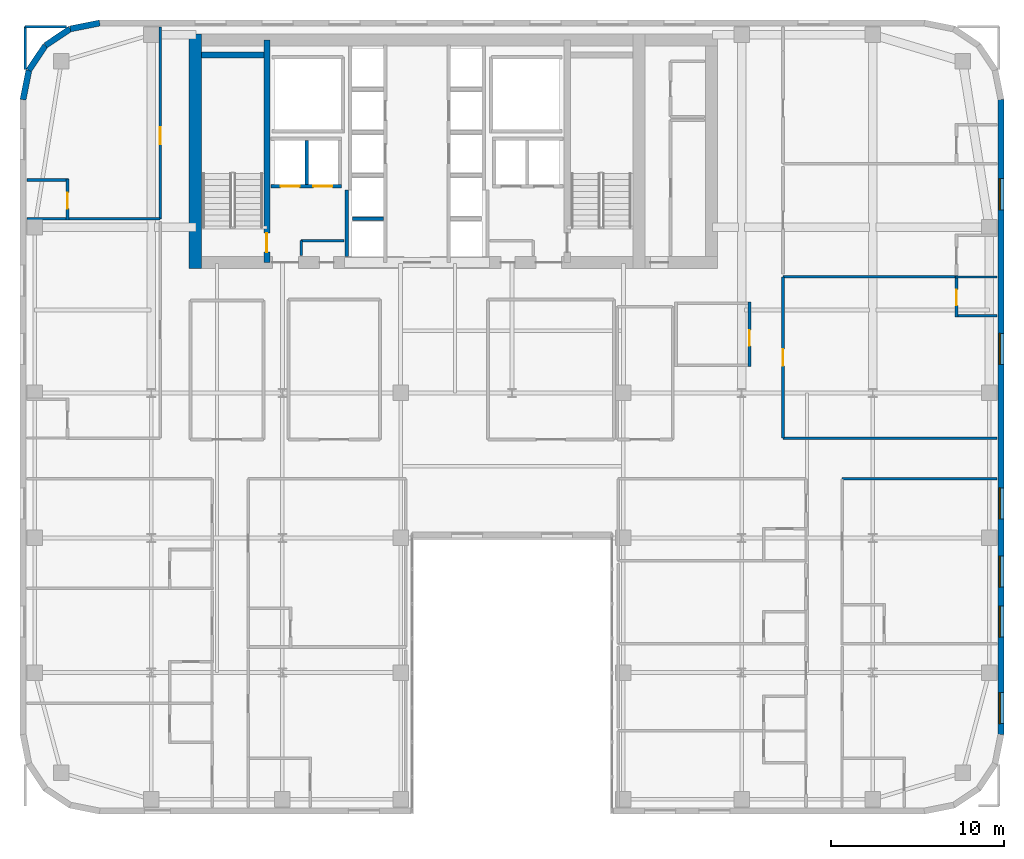
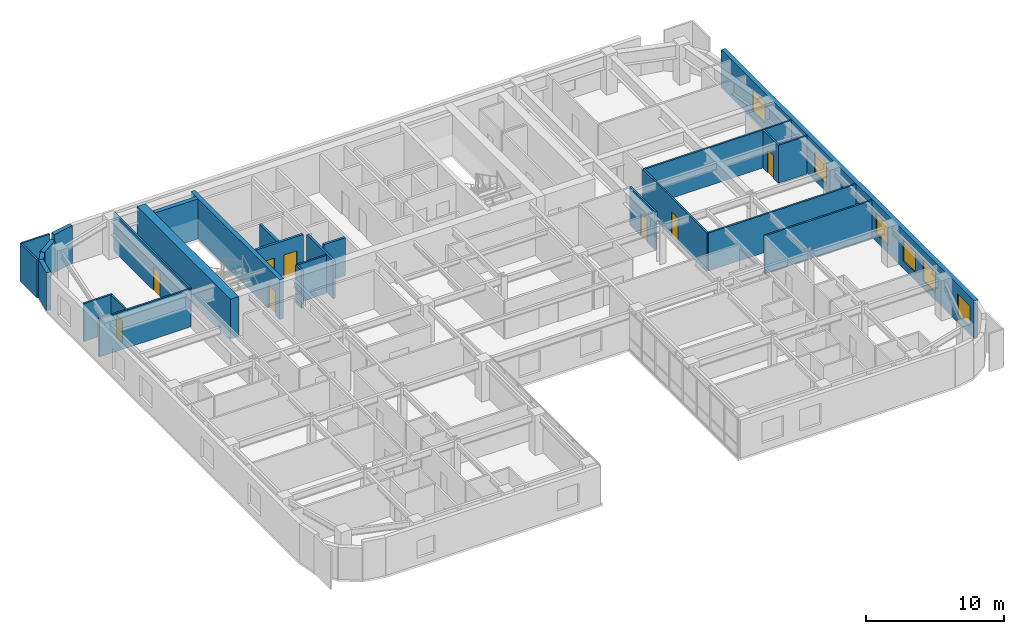
# One storey, part 13 of 16: 28 walls, 8 doors, 6 windows, 14 openings.
"""IFC4 building model written with IfcOpenShell, lengths in metres."""

from ifc_helpers import new_model, si_unit, direction, frame, frame_2d, origin, place, context, subcontext, project, spatial, rectangle, extrude, source, transform, mapped, material, layer, layer_set, type_object, type_shapes, element, fill, save


model = new_model("IFC4")

# Units and contexts
model_context = context("Model", 3, precision=1e-05, world=origin(), true_north=direction((0.0, 1.0)))
body_context = subcontext(model_context, "Body", "Model", "MODEL_VIEW")
ifc_project = project(units=[si_unit("LENGTHUNIT", "METRE"), si_unit("AREAUNIT", "SQUARE_METRE"), si_unit("VOLUMEUNIT", "CUBIC_METRE"), si_unit("PLANEANGLEUNIT", "RADIAN"), si_unit("MASSUNIT", "GRAM", prefix="KILO")], contexts=[model_context])

# Site, building, storey
site_placement = place(None, origin())
site = spatial("IfcSite", under=ifc_project, at=site_placement, CompositionType="ELEMENT")
building_placement = place(site_placement, origin())
building = spatial("IfcBuilding", under=site, at=building_placement, Name="Tolvann Quenvar Hotel", CompositionType="ELEMENT")
storey_placement = place(building_placement, frame((0.0, 0.0, 115.10009765625)))
storey = spatial("IfcBuildingStorey", under=building, at=storey_placement, Name="L29", CompositionType="ELEMENT", Elevation=115.10009765625)

# Wall
ifc_material_1 = material(Name="Concrete S65 (65 MPa)", Category="concrete")
ifc_layer_1 = layer(ifc_material_1, 0.699951171875)
ifc_layer_set_1 = layer_set([ifc_layer_1], Name="Concrete S65 (65 MPa)")
wall_type_1 = type_object("IfcWallType", Name="WALL_CORE_700", PredefinedType="SHEAR", material=ifc_layer_set_1)
wall_1_placement = place(storey_placement, frame((10.14990234375, 31.60009765625, 0.0), z_axis=(0.0, 0.0, 1.0), x_axis=(0.0, 1.0, 0.0)))
element("IfcWall", 1, at=wall_1_placement, inside=storey, type_object=wall_type_1, Name="Rear Core W Shear Wall (L29)", PredefinedType="SHEAR", context=body_context, shape_type="SweptSolid", body=[
    extrude(rectangle(XDim=13.599853515625, YDim=0.699951171875, at=frame_2d((6.7998046875, 0.0))), origin(), (0.0, 0.0, 1.0), 3.5498046875),
])

# Wall, opening, door
ifc_layer_2 = layer(ifc_material_1, 0.35009765625)
ifc_layer_set_2 = layer_set([ifc_layer_2], Name="Concrete S65 (65 MPa)")
wall_type_2 = type_object("IfcWallType", Name="WALL_CORE_INT_350", PredefinedType="SHEAR", material=ifc_layer_set_2)
wall_2_placement = place(storey_placement, frame((14.300048828125, 31.949951171875, 0.0), z_axis=(0.0, 0.0, 1.0), x_axis=(0.0, 1.0, 0.0)))
wall_2 = element("IfcWall", 2, at=wall_2_placement, inside=storey, type_object=wall_type_2, Name="Core Internal Web Shear Wall WEB-W (L29)", PredefinedType="SHEAR", context=body_context, shape_type="SweptSolid", body=[
    extrude(rectangle(XDim=12.900146484375, YDim=0.35009765625, at=frame_2d((6.4501953125, 0.0))), origin(), (0.0, 0.0, 1.0), 3.5498046875),
])
opening_1_placement = place(wall_2_placement, frame((0.60009765625, 0.0, 0.0)))
opening_1 = element("IfcOpeningElement", 3, at=opening_1_placement, cuts=wall_2, Name="Opening FD-120", PredefinedType="OPENING", context=body_context, shape_type="SweptSolid", body=[
    extrude(rectangle(XDim=1.10009765625, YDim=2.1201171875, at=frame_2d((0.550048828125, 1.06005859375))), frame((0.0, 0.18505859375, 0.0), z_axis=(0.0, -1.0, 0.0), x_axis=(1.0, 0.0, 0.0)), (0.0, 0.0, 1.0), 0.3701171875),
])
ifc_material_2 = material(Name="Pressed galvanised steel fire-rated door set", Category="steel")
door_type_1 = type_object("IfcDoorType", Name="DOOR_FIRE_STAIR_1100", OperationType="NOTDEFINED", PredefinedType="DOOR", material=ifc_material_2)
shared_shape_1 = source(origin(), body_context, "Body", "SweptSolid", [
    extrude(rectangle(XDim=1.10009765625, YDim=2.1201171875, at=frame_2d((0.550048828125, 1.06005859375))), frame((0.0, 0.02490234375, 0.0), z_axis=(0.0, -1.0, 0.0), x_axis=(1.0, 0.0, 0.0)), (0.0, 0.0, 1.0), 0.050048828125),
])
type_shapes(door_type_1, [shared_shape_1])
door_1_placement = place(opening_1_placement, origin())
door_1 = element("IfcDoor", 4, at=door_1_placement, inside=storey, type_object=door_type_1, Name="Exit Stair ST-C1 Fire Door (L29)", OperationType="SINGLE_SWING_LEFT", OverallHeight=2.1201171875, OverallWidth=1.10009765625, PredefinedType="DOOR", context=body_context, shape_type="MappedRepresentation", body=[
    mapped(shared_shape_1, transform((0.0, 0.0, 0.0), x_axis=(1.0, 0.0, 0.0), y_axis=(0.0, 1.0, 0.0), z_axis=(0.0, 0.0, 1.0), scale=1.0)),
])
fill(opening_1, door_1)

# Wall
wall_3_placement = place(storey_placement, frame((10.52001953125, 43.97509765625, 0.0), z_axis=(0.0, 0.0, 1.0), x_axis=(1.0, 0.0, 0.0)))
element("IfcWall", 5, at=wall_3_placement, inside=storey, type_object=wall_type_2, Name="Core Stair North Closing Shear Wall STC1-N (L29)", PredefinedType="SHEAR", context=body_context, shape_type="SweptSolid", body=[
    extrude(rectangle(XDim=3.60009765625, YDim=0.35009765625, at=frame_2d((1.800048828125, 0.0))), origin(), (0.0, 0.0, 1.0), 3.5498046875),
])

# Wall, openings, windows
ifc_material_3 = material(Name="Kiln-fired red and buff architectural clay brickwork and terracotta masonry", Category="masonry")
ifc_layer_3 = layer(ifc_material_3, 0.35009765625)
ifc_layer_set_3 = layer_set([ifc_layer_3], Name="Kiln-fired red and buff architectural clay brickwork and terracotta masonry")
wall_type_3 = type_object("IfcWallType", Name="WALL_EXT_BRICK_350", PredefinedType="SOLIDWALL", material=ifc_layer_set_3)
wall_4_placement = place(storey_placement, frame((56.824951171875, 4.6171875, 0.0), z_axis=(0.0, 0.0, 1.0), x_axis=(0.0, 1.0, 0.0)))
wall_4 = element("IfcWall", 6, at=wall_4_placement, inside=storey, type_object=wall_type_3, Name="Exterior Chicago Brick Wall L29-E13", PredefinedType="SOLIDWALL", context=body_context, shape_type="SweptSolid", body=[
    extrude(rectangle(XDim=36.765625, YDim=0.35009765625, at=frame_2d((18.3828125, 0.0))), origin(), (0.0, 0.0, 1.0), 3.369873046875),
])
opening_2_placement = place(wall_4_placement, frame((0.6259765625, 0.0, 0.679931640625)))
opening_2 = element("IfcOpeningElement", 7, at=opening_2_placement, cuts=wall_4, Name="Opening W-03", PredefinedType="OPENING", context=body_context, shape_type="SweptSolid", body=[
    extrude(rectangle(XDim=1.800048828125, YDim=1.85009765625, at=frame_2d((0.89990234375, 0.925048828125))), frame((0.0, 0.18505859375, 0.0), z_axis=(0.0, -1.0, 0.0), x_axis=(1.0, 0.0, 0.0)), (0.0, 0.0, 1.0), 0.3701171875),
])
opening_3_placement = place(wall_4_placement, frame((5.6279296875, 0.0, 0.679931640625)))
opening_3 = element("IfcOpeningElement", 8, at=opening_3_placement, cuts=wall_4, Name="Opening W-03", PredefinedType="OPENING", context=body_context, shape_type="SweptSolid", body=[
    extrude(rectangle(XDim=1.800048828125, YDim=1.85009765625, at=frame_2d((0.89990234375, 0.925048828125))), frame((0.0, 0.18505859375, 0.0), z_axis=(0.0, -1.0, 0.0), x_axis=(1.0, 0.0, 0.0)), (0.0, 0.0, 1.0), 0.3701171875),
])
opening_4_placement = place(wall_4_placement, frame((8.529052734375, 0.0, 0.679931640625)))
opening_4 = element("IfcOpeningElement", 9, at=opening_4_placement, cuts=wall_4, Name="Opening W-03", PredefinedType="OPENING", context=body_context, shape_type="SweptSolid", body=[
    extrude(rectangle(XDim=1.800048828125, YDim=1.85009765625, at=frame_2d((0.89990234375, 0.925048828125))), frame((0.0, 0.18505859375, 0.0), z_axis=(0.0, -1.0, 0.0), x_axis=(1.0, 0.0, 0.0)), (0.0, 0.0, 1.0), 0.3701171875),
])
opening_5_placement = place(wall_4_placement, frame((12.48095703125, 0.0, 0.679931640625)))
opening_5 = element("IfcOpeningElement", 10, at=opening_5_placement, cuts=wall_4, Name="Opening W-03", PredefinedType="OPENING", context=body_context, shape_type="SweptSolid", body=[
    extrude(rectangle(XDim=1.800048828125, YDim=1.85009765625, at=frame_2d((0.89990234375, 0.925048828125))), frame((0.0, 0.18505859375, 0.0), z_axis=(0.0, -1.0, 0.0), x_axis=(1.0, 0.0, 0.0)), (0.0, 0.0, 1.0), 0.3701171875),
])
opening_6_placement = place(wall_4_placement, frame((21.43505859375, 0.0, 0.679931640625)))
opening_6 = element("IfcOpeningElement", 11, at=opening_6_placement, cuts=wall_4, Name="Opening W-03", PredefinedType="OPENING", context=body_context, shape_type="SweptSolid", body=[
    extrude(rectangle(XDim=1.800048828125, YDim=1.85009765625, at=frame_2d((0.89990234375, 0.925048828125))), frame((0.0, 0.18505859375, 0.0), z_axis=(0.0, -1.0, 0.0), x_axis=(1.0, 0.0, 0.0)), (0.0, 0.0, 1.0), 0.3701171875),
])
opening_7_placement = place(wall_4_placement, frame((30.387939453125, 0.0, 0.679931640625)))
opening_7 = element("IfcOpeningElement", 12, at=opening_7_placement, cuts=wall_4, Name="Opening W-03", PredefinedType="OPENING", context=body_context, shape_type="SweptSolid", body=[
    extrude(rectangle(XDim=1.800048828125, YDim=1.85009765625, at=frame_2d((0.89990234375, 0.925048828125))), frame((0.0, 0.18505859375, 0.0), z_axis=(0.0, -1.0, 0.0), x_axis=(1.0, 0.0, 0.0)), (0.0, 0.0, 1.0), 0.3701171875),
])
ifc_material_4 = material(Name="Thermally broken bronze-anodised aluminium frame with double low-E glazing", Category="aluminium")
window_type = type_object("IfcWindowType", Name="WIN_CHI_1800x2050", PartitioningType="TRIPLE_PANEL_HORIZONTAL", PredefinedType="WINDOW", material=ifc_material_4)
shared_shape_2 = source(origin(), body_context, "Body", "SweptSolid", [
    extrude(rectangle(XDim=1.800048828125, YDim=1.85009765625, at=frame_2d((0.89990234375, 0.925048828125))), frame((0.0, 0.090087890625, 0.0), z_axis=(0.0, -1.0, 0.0), x_axis=(1.0, 0.0, 0.0)), (0.0, 0.0, 1.0), 0.06005859375),
])
type_shapes(window_type, [shared_shape_2])
window_1_placement = place(opening_2_placement, origin())
window_1 = element("IfcWindow", 13, at=window_1_placement, inside=storey, type_object=window_type, Name="Chicago Window W-03 (EW-L29-E13-W01)", OverallHeight=1.85009765625, OverallWidth=1.800048828125, PartitioningType="TRIPLE_PANEL_HORIZONTAL", PredefinedType="WINDOW", context=body_context, shape_type="MappedRepresentation", body=[
    mapped(shared_shape_2, transform((0.0, 0.0, 0.0), x_axis=(1.0, 0.0, 0.0), y_axis=(0.0, 1.0, 0.0), z_axis=(0.0, 0.0, 1.0), scale=1.0)),
])
fill(opening_2, window_1)
window_2_placement = place(opening_3_placement, origin())
window_2 = element("IfcWindow", 14, at=window_2_placement, inside=storey, type_object=window_type, Name="Chicago Window W-03 (EW-L29-E13-W02)", OverallHeight=1.85009765625, OverallWidth=1.800048828125, PartitioningType="TRIPLE_PANEL_HORIZONTAL", PredefinedType="WINDOW", context=body_context, shape_type="MappedRepresentation", body=[
    mapped(shared_shape_2, transform((0.0, 0.0, 0.0), x_axis=(1.0, 0.0, 0.0), y_axis=(0.0, 1.0, 0.0), z_axis=(0.0, 0.0, 1.0), scale=1.0)),
])
fill(opening_3, window_2)
window_3_placement = place(opening_4_placement, origin())
window_3 = element("IfcWindow", 15, at=window_3_placement, inside=storey, type_object=window_type, Name="Chicago Window W-03 (EW-L29-E13-W03)", OverallHeight=1.85009765625, OverallWidth=1.800048828125, PartitioningType="TRIPLE_PANEL_HORIZONTAL", PredefinedType="WINDOW", context=body_context, shape_type="MappedRepresentation", body=[
    mapped(shared_shape_2, transform((0.0, 0.0, 0.0), x_axis=(1.0, 0.0, 0.0), y_axis=(0.0, 1.0, 0.0), z_axis=(0.0, 0.0, 1.0), scale=1.0)),
])
fill(opening_4, window_3)
window_4_placement = place(opening_5_placement, origin())
window_4 = element("IfcWindow", 16, at=window_4_placement, inside=storey, type_object=window_type, Name="Chicago Window W-03 (EW-L29-E13-W04)", OverallHeight=1.85009765625, OverallWidth=1.800048828125, PartitioningType="TRIPLE_PANEL_HORIZONTAL", PredefinedType="WINDOW", context=body_context, shape_type="MappedRepresentation", body=[
    mapped(shared_shape_2, transform((0.0, 0.0, 0.0), x_axis=(1.0, 0.0, 0.0), y_axis=(0.0, 1.0, 0.0), z_axis=(0.0, 0.0, 1.0), scale=1.0)),
])
fill(opening_5, window_4)
window_5_placement = place(opening_6_placement, origin())
window_5 = element("IfcWindow", 17, at=window_5_placement, inside=storey, type_object=window_type, Name="Chicago Window W-03 (EW-L29-E13-W05)", OverallHeight=1.85009765625, OverallWidth=1.800048828125, PartitioningType="TRIPLE_PANEL_HORIZONTAL", PredefinedType="WINDOW", context=body_context, shape_type="MappedRepresentation", body=[
    mapped(shared_shape_2, transform((0.0, 0.0, 0.0), x_axis=(1.0, 0.0, 0.0), y_axis=(0.0, 1.0, 0.0), z_axis=(0.0, 0.0, 1.0), scale=1.0)),
])
fill(opening_6, window_5)
window_6_placement = place(opening_7_placement, origin())
window_6 = element("IfcWindow", 18, at=window_6_placement, inside=storey, type_object=window_type, Name="Chicago Window W-03 (EW-L29-E13-W06)", OverallHeight=1.85009765625, OverallWidth=1.800048828125, PartitioningType="TRIPLE_PANEL_HORIZONTAL", PredefinedType="WINDOW", context=body_context, shape_type="MappedRepresentation", body=[
    mapped(shared_shape_2, transform((0.0, 0.0, 0.0), x_axis=(1.0, 0.0, 0.0), y_axis=(0.0, 1.0, 0.0), z_axis=(0.0, 0.0, 1.0), scale=1.0)),
])
fill(opening_7, window_6)

# Walls
wall_5_placement = place(storey_placement, frame((4.6171875, 45.824951171875, 0.0), z_axis=(0.0, 0.0, 1.0), x_axis=(-0.980800971659, -0.195011420161, 0.0)))
element("IfcWall", 19, at=wall_5_placement, inside=storey, type_object=wall_type_3, Name="Exterior Chicago Brick Wall L29-E19", PredefinedType="SOLIDWALL", context=body_context, shape_type="SweptSolid", body=[
    extrude(rectangle(XDim=1.74267578125, YDim=0.35009765625, at=frame_2d((0.871337890625, 0.0))), origin(), (0.0, 0.0, 1.0), 3.369873046875),
])
for number, where, z_axis, x_axis, name in (
    (20, (2.907958984375, 45.485107421875, 0.0), (0.0, 0.0, 1.0), (-0.831483840845, -0.55554893791, 0.0), "Exterior Chicago Brick Wall L29-E20"),
    (21, (1.473388671875, 44.526611328125, 0.0), (0.0, 0.0, 1.0), (-0.55554893791, -0.831483840845, 0.0), "Exterior Chicago Brick Wall L29-E21"),
):
    element("IfcWall", number, at=place(storey_placement, frame(where, z_axis=z_axis, x_axis=x_axis)), inside=storey, type_object=wall_type_3, Name=name, PredefinedType="SOLIDWALL", context=body_context, shape_type="SweptSolid", body=[
        extrude(rectangle(XDim=1.725341796875, YDim=0.35009765625, at=frame_2d((0.86279296875, 0.0))), origin(), (0.0, 0.0, 1.0), 2.831787109375),
    ])
wall_6_placement = place(storey_placement, frame((0.514892578125, 43.092041015625, 0.0), z_axis=(0.0, 0.0, 1.0), x_axis=(-0.195011420161, -0.980800971659, 0.0)))
element("IfcWall", 22, at=wall_6_placement, inside=storey, type_object=wall_type_3, Name="Exterior Chicago Brick Wall L29-E22", PredefinedType="SOLIDWALL", context=body_context, shape_type="SweptSolid", body=[
    extrude(rectangle(XDim=1.74267578125, YDim=0.35009765625, at=frame_2d((0.871337890625, 0.0))), origin(), (0.0, 0.0, 1.0), 3.369873046875),
])
ifc_material_5 = material(Name="Moisture-resistant acoustic plumbing wall assembly")
ifc_layer_4 = layer(ifc_material_5, 0.1201171875)
ifc_layer_set_4 = layer_set([ifc_layer_4], Name="Moisture-resistant acoustic plumbing wall assembly")
wall_type_4 = type_object("IfcWallType", Name="WALL_PART_BATH_120", PredefinedType="PLUMBINGWALL", material=ifc_layer_set_4)
wall_7_placement = place(storey_placement, frame((54.179931640625, 31.1201171875, 0.0), z_axis=(0.0, 0.0, 1.0), x_axis=(1.0, 0.0, 0.0)))
element("IfcWall", 23, at=wall_7_placement, inside=storey, type_object=wall_type_4, Name="Non-Rated Plumbing Partition PT-SPC-L29-ENS-NE01-N", PredefinedType="PLUMBINGWALL", context=body_context, shape_type="SweptSolid", body=[
    extrude(rectangle(XDim=2.4150390625, YDim=0.1201171875, at=frame_2d((1.20751953125, 0.0))), origin(), (0.0, 0.0, 1.0), 3.369873046875),
])

# Wall, opening, door
ifc_material_6 = material(Name="Acoustic twin-stud fire-rated gypsum plasterboard partition")
ifc_layer_5 = layer(ifc_material_6, 0.14990234375)
ifc_layer_set_5 = layer_set([ifc_layer_5], Name="Acoustic twin-stud fire-rated gypsum plasterboard partition")
wall_type_5 = type_object("IfcWallType", Name="WALL_PART_SUITE_150", PredefinedType="PARTITIONING", material=ifc_layer_set_5)
wall_8_placement = place(storey_placement, frame((2.75, 34.409912109375, 0.0), z_axis=(0.0, 0.0, 1.0), x_axis=(0.0, 1.0, 0.0)))
wall_8 = element("IfcWall", 24, at=wall_8_placement, inside=storey, type_object=wall_type_5, Name="Interior Partition PT-SPC-L29-ENS-NW02-ENT", PredefinedType="PARTITIONING", context=body_context, shape_type="SweptSolid", body=[
    extrude(rectangle(XDim=2.39013671875, YDim=0.14990234375, at=frame_2d((1.195068359375, 0.0))), origin(), (0.0, 0.0, 1.0), 3.369873046875),
])
opening_8_placement = place(wall_8_placement, frame((0.6650390625, 0.0, 0.0)))
opening_8 = element("IfcOpeningElement", 25, at=opening_8_placement, cuts=wall_8, Name="Opening WD-01", PredefinedType="OPENING", context=body_context, shape_type="SweptSolid", body=[
    extrude(rectangle(XDim=0.919921875, YDim=2.010009765625, at=frame_2d((0.4599609375, 1.0048828125))), frame((0.0, 0.0849609375, 0.0), z_axis=(0.0, -1.0, 0.0), x_axis=(1.0, 0.0, 0.0)), (0.0, 0.0, 1.0), 0.169921875),
])
ifc_material_7 = material(Name="Solid-core American oak acoustic fire door leaf in steel frame", Category="steel")
door_type_2 = type_object("IfcDoorType", Name="DOOR_WC_920", OperationType="NOTDEFINED", PredefinedType="DOOR", material=ifc_material_7)
shared_shape_3 = source(origin(), body_context, "Body", "SweptSolid", [
    extrude(rectangle(XDim=0.919921875, YDim=2.010009765625, at=frame_2d((0.4599609375, 1.0048828125))), frame((0.0, 0.02490234375, 0.0), z_axis=(0.0, -1.0, 0.0), x_axis=(1.0, 0.0, 0.0)), (0.0, 0.0, 1.0), 0.050048828125),
])
type_shapes(door_type_2, [shared_shape_3])
door_2_placement = place(opening_8_placement, origin())
door_2 = element("IfcDoor", 26, at=door_2_placement, inside=storey, type_object=door_type_2, Name="Interior Door DOOR-SPC-L29-ENS-NW02", OperationType="SINGLE_SWING_LEFT", OverallHeight=2.010009765625, OverallWidth=0.919921875, PredefinedType="DOOR", context=body_context, shape_type="MappedRepresentation", body=[
    mapped(shared_shape_3, transform((0.0, 0.0, 0.0), x_axis=(1.0, 0.0, 0.0), y_axis=(0.0, 1.0, 0.0), z_axis=(0.0, 0.0, 1.0), scale=1.0)),
])
fill(opening_8, door_2)

# Walls
wall_9_placement = place(storey_placement, frame((0.405029296875, 34.47998046875, 0.0), z_axis=(0.0, 0.0, 1.0), x_axis=(1.0, 0.0, 0.0)))
element("IfcWall", 27, at=wall_9_placement, inside=storey, type_object=wall_type_5, Name="Interior Partition PT-SPC-L29-ENS-NW02-S", PredefinedType="PARTITIONING", context=body_context, shape_type="SweptSolid", body=[
    extrude(rectangle(XDim=7.715087890625, YDim=0.14990234375, at=frame_2d((3.857421875, 0.0))), origin(), (0.0, 0.0, 1.0), 3.369873046875),
])
wall_10_placement = place(storey_placement, frame((0.405029296875, 36.72998046875, 0.0), z_axis=(0.0, 0.0, 1.0), x_axis=(1.0, 0.0, 0.0)))
element("IfcWall", 28, at=wall_10_placement, inside=storey, type_object=wall_type_5, Name="Interior Partition PT-SPC-L29-ENS-NW02-N", PredefinedType="PARTITIONING", context=body_context, shape_type="SweptSolid", body=[
    extrude(rectangle(XDim=2.4150390625, YDim=0.14990234375, at=frame_2d((1.20751953125, 0.0))), origin(), (0.0, 0.0, 1.0), 3.369873046875),
])

# Wall, opening, door
wall_11_placement = place(storey_placement, frame((54.25, 28.800048828125, 0.0), z_axis=(0.0, 0.0, 1.0), x_axis=(0.0, 1.0, 0.0)))
wall_11 = element("IfcWall", 29, at=wall_11_placement, inside=storey, type_object=wall_type_5, Name="Interior Partition PT-SPC-L29-ENS-NE01-ENT", PredefinedType="PARTITIONING", context=body_context, shape_type="SweptSolid", body=[
    extrude(rectangle(XDim=2.389892578125, YDim=0.14990234375, at=frame_2d((1.19482421875, 0.0))), origin(), (0.0, 0.0, 1.0), 3.369873046875),
])
opening_9_placement = place(wall_11_placement, frame((0.6650390625, 0.0, 0.0)))
opening_9 = element("IfcOpeningElement", 30, at=opening_9_placement, cuts=wall_11, Name="Opening WD-01", PredefinedType="OPENING", context=body_context, shape_type="SweptSolid", body=[
    extrude(rectangle(XDim=0.919921875, YDim=2.010009765625, at=frame_2d((0.4599609375, 1.0048828125))), frame((0.0, 0.0849609375, 0.0), z_axis=(0.0, -1.0, 0.0), x_axis=(1.0, 0.0, 0.0)), (0.0, 0.0, 1.0), 0.169921875),
])
door_3_placement = place(opening_9_placement, origin())
door_3 = element("IfcDoor", 31, at=door_3_placement, inside=storey, type_object=door_type_2, Name="Interior Door DOOR-SPC-L29-ENS-NE01", OperationType="SINGLE_SWING_RIGHT", OverallHeight=2.010009765625, OverallWidth=0.919921875, PredefinedType="DOOR", context=body_context, shape_type="MappedRepresentation", body=[
    mapped(shared_shape_3, transform((0.0, 0.0, 0.0), x_axis=(1.0, 0.0, 0.0), y_axis=(0.0, 1.0, 0.0), z_axis=(0.0, 0.0, 1.0), scale=1.0)),
])
fill(opening_9, door_3)

# Walls
wall_12_placement = place(storey_placement, frame((54.179931640625, 28.8701171875, 0.0), z_axis=(0.0, 0.0, 1.0), x_axis=(1.0, 0.0, 0.0)))
element("IfcWall", 32, at=wall_12_placement, inside=storey, type_object=wall_type_5, Name="Interior Partition PT-SPC-L29-ENS-NE01-S", PredefinedType="PARTITIONING", context=body_context, shape_type="SweptSolid", body=[
    extrude(rectangle(XDim=2.4150390625, YDim=0.14990234375, at=frame_2d((1.20751953125, 0.0))), origin(), (0.0, 0.0, 1.0), 3.369873046875),
])
wall_13_placement = place(storey_placement, frame((16.280029296875, 33.219970703125, 0.0), z_axis=(0.0, 0.0, 1.0), x_axis=(1.0, 0.0, 0.0)))
element("IfcWall", 33, at=wall_13_placement, inside=storey, type_object=wall_type_5, Name="Interior Partition PT-SPC-L29-CSW-1-N", PredefinedType="PARTITIONING", context=body_context, shape_type="SweptSolid", body=[
    extrude(rectangle(XDim=2.48486328125, YDim=0.14990234375, at=frame_2d((1.242431640625, 0.0))), origin(), (0.0, 0.0, 1.0), 3.369873046875),
])
wall_14_placement = place(storey_placement, frame((16.280029296875, 32.35498046875, 0.0), z_axis=(0.0, 0.0, 1.0), x_axis=(0.0, 1.0, 0.0)))
element("IfcWall", 34, at=wall_14_placement, inside=storey, type_object=wall_type_5, Name="Interior Partition PT-SPC-L29-CSW-1-W", PredefinedType="PARTITIONING", context=body_context, shape_type="SweptSolid", body=[
    extrude(rectangle(XDim=0.864990234375, YDim=0.14990234375, at=frame_2d((0.4326171875, 0.0))), origin(), (0.0, 0.0, 1.0), 3.369873046875),
])
wall_15_placement = place(storey_placement, frame((47.6201171875, 19.419921875, 0.0), z_axis=(0.0, 0.0, 1.0), x_axis=(1.0, 0.0, 0.0)))
element("IfcWall", 35, at=wall_15_placement, inside=storey, type_object=wall_type_5, Name="Interior Partition PT-SPC-L29-RM-EO02-E5", PredefinedType="PARTITIONING", context=body_context, shape_type="SweptSolid", body=[
    extrude(rectangle(XDim=8.974853515625, YDim=0.14990234375, at=frame_2d((4.4873046875, 0.0))), origin(), (0.0, 0.0, 1.0), 3.369873046875),
])

# Wall, opening, door
wall_16_placement = place(storey_placement, frame((8.1201171875, 34.47998046875, 0.0), z_axis=(0.0, 0.0, 1.0), x_axis=(0.0, 1.0, 0.0)))
wall_16 = element("IfcWall", 36, at=wall_16_placement, inside=storey, type_object=wall_type_5, Name="Interior Partition PT-SPC-L29-RM-NW02-ENT", PredefinedType="PARTITIONING", context=body_context, shape_type="SweptSolid", body=[
    extrude(rectangle(XDim=11.114990234375, YDim=0.14990234375, at=frame_2d((5.5576171875, 0.0))), origin(), (0.0, 0.0, 1.0), 3.369873046875),
])
opening_10_placement = place(wall_16_placement, frame((4.320068359375, 0.0, 0.0)))
opening_10 = element("IfcOpeningElement", 37, at=opening_10_placement, cuts=wall_16, Name="Opening SD-01", PredefinedType="OPENING", context=body_context, shape_type="SweptSolid", body=[
    extrude(rectangle(XDim=0.97998046875, YDim=2.1201171875, at=frame_2d((0.489990234375, 1.06005859375))), frame((0.0, 0.0849609375, 0.0), z_axis=(0.0, -1.0, 0.0), x_axis=(1.0, 0.0, 0.0)), (0.0, 0.0, 1.0), 0.169921875),
])
door_type_3 = type_object("IfcDoorType", Name="DOOR_SUITE_980", OperationType="NOTDEFINED", PredefinedType="DOOR", material=ifc_material_7)
shared_shape_4 = source(origin(), body_context, "Body", "SweptSolid", [
    extrude(rectangle(XDim=0.97998046875, YDim=2.1201171875, at=frame_2d((0.489990234375, 1.06005859375))), frame((0.0, 0.02490234375, 0.0), z_axis=(0.0, -1.0, 0.0), x_axis=(1.0, 0.0, 0.0)), (0.0, 0.0, 1.0), 0.050048828125),
])
type_shapes(door_type_3, [shared_shape_4])
door_4_placement = place(opening_10_placement, origin())
door_4 = element("IfcDoor", 38, at=door_4_placement, inside=storey, type_object=door_type_3, Name="Interior Door DOOR-SPC-L29-RM-NW02", OperationType="SINGLE_SWING_LEFT", OverallHeight=2.1201171875, OverallWidth=0.97998046875, PredefinedType="DOOR", context=body_context, shape_type="MappedRepresentation", body=[
    mapped(shared_shape_4, transform((0.0, 0.0, 0.0), x_axis=(1.0, 0.0, 0.0), y_axis=(0.0, 1.0, 0.0), z_axis=(0.0, 0.0, 1.0), scale=1.0)),
])
fill(opening_10, door_4)

# Walls
wall_17_placement = place(storey_placement, frame((0.300048828125, 45.6201171875, 0.0), z_axis=(0.0, 0.0, 1.0), x_axis=(1.0, 0.0, 0.0)))
element("IfcWall", 39, at=wall_17_placement, inside=storey, type_object=wall_type_5, Name="Interior Partition PT-SPC-L29-RM-NW02-E5", PredefinedType="PARTITIONING", context=body_context, shape_type="SweptSolid", body=[
    extrude(rectangle(XDim=2.39599609375, YDim=0.14990234375, at=frame_2d((1.197998046875, 0.0))), origin(), (0.0, 0.0, 1.0), 3.369873046875),
])
wall_18_placement = place(storey_placement, frame((0.300048828125, 43.135009765625, 0.0), z_axis=(0.0, 0.0, 1.0), x_axis=(0.0, 1.0, 0.0)))
element("IfcWall", 40, at=wall_18_placement, inside=storey, type_object=wall_type_5, Name="Interior Partition PT-SPC-L29-RM-NW02-E6", PredefinedType="PARTITIONING", context=body_context, shape_type="SweptSolid", body=[
    extrude(rectangle(XDim=2.485107421875, YDim=0.14990234375, at=frame_2d((1.24267578125, 0.0))), origin(), (0.0, 0.0, 1.0), 3.369873046875),
])

# Wall, opening, door
wall_19_placement = place(storey_placement, frame((44.199951171875, 21.780029296875, 0.0), z_axis=(0.0, 0.0, 1.0), x_axis=(0.0, 1.0, 0.0)))
wall_19 = element("IfcWall", 41, at=wall_19_placement, inside=storey, type_object=wall_type_5, Name="Interior Partition PT-SPC-L29-RM-NE01-ENT", PredefinedType="PARTITIONING", context=body_context, shape_type="SweptSolid", body=[
    extrude(rectangle(XDim=9.340087890625, YDim=0.14990234375, at=frame_2d((4.669921875, 0.0))), origin(), (0.0, 0.0, 1.0), 3.369873046875),
])
opening_11_placement = place(wall_19_placement, frame((4.179931640625, 0.0, 0.0)))
opening_11 = element("IfcOpeningElement", 42, at=opening_11_placement, cuts=wall_19, Name="Opening SD-01", PredefinedType="OPENING", context=body_context, shape_type="SweptSolid", body=[
    extrude(rectangle(XDim=0.97998046875, YDim=2.1201171875, at=frame_2d((0.489990234375, 1.06005859375))), frame((0.0, 0.0849609375, 0.0), z_axis=(0.0, -1.0, 0.0), x_axis=(1.0, 0.0, 0.0)), (0.0, 0.0, 1.0), 0.169921875),
])
door_5_placement = place(opening_11_placement, origin())
door_5 = element("IfcDoor", 43, at=door_5_placement, inside=storey, type_object=door_type_3, Name="Interior Door DOOR-SPC-L29-RM-NE01", OperationType="SINGLE_SWING_RIGHT", OverallHeight=2.1201171875, OverallWidth=0.97998046875, PredefinedType="DOOR", context=body_context, shape_type="MappedRepresentation", body=[
    mapped(shared_shape_4, transform((0.0, 0.0, 0.0), x_axis=(1.0, 0.0, 0.0), y_axis=(0.0, 1.0, 0.0), z_axis=(0.0, 0.0, 1.0), scale=1.0)),
])
fill(opening_11, door_5)

# Walls
wall_20_placement = place(storey_placement, frame((44.199951171875, 21.780029296875, 0.0), z_axis=(0.0, 0.0, 1.0), x_axis=(1.0, 0.0, 0.0)))
element("IfcWall", 44, at=wall_20_placement, inside=storey, type_object=wall_type_5, Name="Interior Partition PT-SPC-L29-RM-NE01-E1", PredefinedType="PARTITIONING", context=body_context, shape_type="SweptSolid", body=[
    extrude(rectangle(XDim=12.39501953125, YDim=0.14990234375, at=frame_2d((6.197509765625, 0.0))), origin(), (0.0, 0.0, 1.0), 3.369873046875),
])
wall_21_placement = place(storey_placement, frame((44.199951171875, 31.1201171875, 0.0), z_axis=(0.0, 0.0, 1.0), x_axis=(1.0, 0.0, 0.0)))
element("IfcWall", 45, at=wall_21_placement, inside=storey, type_object=wall_type_5, Name="Interior Partition PT-SPC-L29-RM-NE01-E5", PredefinedType="PARTITIONING", context=body_context, shape_type="SweptSolid", body=[
    extrude(rectangle(XDim=10.030029296875, YDim=0.14990234375, at=frame_2d((5.01513671875, 0.0))), origin(), (0.0, 0.0, 1.0), 3.369873046875),
])

# Wall, opening, door
wall_22_placement = place(storey_placement, frame((42.260009765625, 25.929931640625, 0.0), z_axis=(0.0, 0.0, 1.0), x_axis=(0.0, 1.0, 0.0)))
wall_22 = element("IfcWall", 46, at=wall_22_placement, inside=storey, type_object=wall_type_5, Name="Interior Partition PT-SPC-L29-WCA-ENT", PredefinedType="PARTITIONING", context=body_context, shape_type="SweptSolid", body=[
    extrude(rectangle(XDim=3.739990234375, YDim=0.14990234375, at=frame_2d((1.8701171875, 0.0))), origin(), (0.0, 0.0, 1.0), 3.369873046875),
])
opening_12_placement = place(wall_22_placement, frame((1.18994140625, 0.0, 0.0)))
opening_12 = element("IfcOpeningElement", 47, at=opening_12_placement, cuts=wall_22, Name="Opening WD-01", PredefinedType="OPENING", context=body_context, shape_type="SweptSolid", body=[
    extrude(rectangle(XDim=0.919921875, YDim=2.010009765625, at=frame_2d((0.4599609375, 1.0048828125))), frame((0.0, 0.0849609375, 0.0), z_axis=(0.0, -1.0, 0.0), x_axis=(1.0, 0.0, 0.0)), (0.0, 0.0, 1.0), 0.169921875),
])
door_6_placement = place(opening_12_placement, origin())
door_6 = element("IfcDoor", 48, at=door_6_placement, inside=storey, type_object=door_type_2, Name="Interior Door DOOR-SPC-L29-WCA", OperationType="SINGLE_SWING_LEFT", OverallHeight=2.010009765625, OverallWidth=0.919921875, PredefinedType="DOOR", context=body_context, shape_type="MappedRepresentation", body=[
    mapped(shared_shape_3, transform((0.0, 0.0, 0.0), x_axis=(1.0, 0.0, 0.0), y_axis=(0.0, 1.0, 0.0), z_axis=(0.0, 0.0, 1.0), scale=1.0)),
])
fill(opening_12, door_6)

# Walls
ifc_material_8 = material(Name="Concrete N40 (40 MPa)", Category="concrete")
ifc_layer_6 = layer(ifc_material_8, 0.199951171875)
ifc_layer_set_6 = layer_set([ifc_layer_6], Name="Concrete N40 (40 MPa)")
wall_type_6 = type_object("IfcWallType", Name="WALL_SHAFT_200", PredefinedType="SOLIDWALL", material=ifc_layer_set_6)
wall_23_placement = place(storey_placement, frame((18.919921875, 32.303955078125, 0.0), z_axis=(0.0, 0.0, 1.0), x_axis=(0.0, 1.0, 0.0)))
element("IfcWall", 49, at=wall_23_placement, inside=storey, type_object=wall_type_6, Name="Firefighting Lobby W Inner Fire Wall (L29)", PredefinedType="SOLIDWALL", context=body_context, shape_type="SweptSolid", body=[
    extrude(rectangle(XDim=3.845947265625, YDim=0.199951171875, at=frame_2d((1.9228515625, 0.0))), origin(), (0.0, 0.0, 1.0), 3.369873046875),
])
wall_24_placement = place(storey_placement, frame((19.27001953125, 34.5, 0.0), z_axis=(0.0, 0.0, 1.0), x_axis=(1.0, 0.0, 0.0)))
element("IfcWall", 50, at=wall_24_placement, inside=storey, type_object=wall_type_6, Name="Lift Bank E21.1C1 Divider Wall 1 (L29)", PredefinedType="SOLIDWALL", context=body_context, shape_type="SweptSolid", body=[
    extrude(rectangle(XDim=1.800048828125, YDim=0.199951171875, at=frame_2d((0.89990234375, 0.0))), origin(), (0.0, 0.0, 1.0), 3.369873046875),
])

# Wall, openings, doors
wall_25_placement = place(storey_placement, frame((14.550048828125, 36.3798828125, 0.0), z_axis=(0.0, 0.0, 1.0), x_axis=(1.0, 0.0, 0.0)))
wall_25 = element("IfcWall", 51, at=wall_25_placement, inside=storey, type_object=wall_type_6, Name="Lift Bank SWC1 Hoistway Front Wall (L29)", PredefinedType="SOLIDWALL", context=body_context, shape_type="SweptSolid", body=[
    extrude(rectangle(XDim=4.074951171875, YDim=0.199951171875, at=frame_2d((2.03759765625, 0.0))), origin(), (0.0, 0.0, 1.0), 3.369873046875),
])
opening_13_placement = place(wall_25_placement, frame((0.550048828125, 0.0, 0.0)))
opening_13 = element("IfcOpeningElement", 52, at=opening_13_placement, cuts=wall_25, Name="Opening LD-01", PredefinedType="OPENING", context=body_context, shape_type="SweptSolid", body=[
    extrude(rectangle(XDim=1.10009765625, YDim=2.1201171875, at=frame_2d((0.550048828125, 1.06005859375))), frame((0.0, 0.10986328125, 0.0), z_axis=(0.0, -1.0, 0.0), x_axis=(1.0, 0.0, 0.0)), (0.0, 0.0, 1.0), 0.219970703125),
])
opening_14_placement = place(wall_25_placement, frame((2.449951171875, 0.0, 0.0)))
opening_14 = element("IfcOpeningElement", 53, at=opening_14_placement, cuts=wall_25, Name="Opening LD-01", PredefinedType="OPENING", context=body_context, shape_type="SweptSolid", body=[
    extrude(rectangle(XDim=1.10009765625, YDim=2.1201171875, at=frame_2d((0.550048828125, 1.06005859375))), frame((0.0, 0.10986328125, 0.0), z_axis=(0.0, -1.0, 0.0), x_axis=(1.0, 0.0, 0.0)), (0.0, 0.0, 1.0), 0.219970703125),
])
ifc_material_9 = material(Name="Brushed 316 stainless steel automatic sliding lift landing door", Category="steel")
door_type_4 = type_object("IfcDoorType", Name="DOOR_LIFT_SLIDE_1100", OperationType="NOTDEFINED", PredefinedType="DOOR", material=ifc_material_9)
shared_shape_5 = source(origin(), body_context, "Body", "SweptSolid", [
    extrude(rectangle(XDim=1.10009765625, YDim=2.1201171875, at=frame_2d((0.550048828125, 1.06005859375))), frame((0.0, 0.02490234375, 0.0), z_axis=(0.0, -1.0, 0.0), x_axis=(1.0, 0.0, 0.0)), (0.0, 0.0, 1.0), 0.050048828125),
])
type_shapes(door_type_4, [shared_shape_5])
door_7_placement = place(opening_13_placement, origin())
door_7 = element("IfcDoor", 54, at=door_7_placement, inside=storey, type_object=door_type_4, Name="Lift FF-1 Sliding Landing Door (L29)", OperationType="SLIDING_TO_LEFT", OverallHeight=2.1201171875, OverallWidth=1.10009765625, PredefinedType="DOOR", context=body_context, shape_type="MappedRepresentation", body=[
    mapped(shared_shape_5, transform((0.0, 0.0, 0.0), x_axis=(1.0, 0.0, 0.0), y_axis=(0.0, 1.0, 0.0), z_axis=(0.0, 0.0, 1.0), scale=1.0)),
])
fill(opening_13, door_7)
door_8_placement = place(opening_14_placement, origin())
door_8 = element("IfcDoor", 55, at=door_8_placement, inside=storey, type_object=door_type_4, Name="Lift SV-1 Sliding Landing Door (L29)", OperationType="SLIDING_TO_RIGHT", OverallHeight=2.1201171875, OverallWidth=1.10009765625, PredefinedType="DOOR", context=body_context, shape_type="MappedRepresentation", body=[
    mapped(shared_shape_5, transform((0.0, 0.0, 0.0), x_axis=(1.0, 0.0, 0.0), y_axis=(0.0, 1.0, 0.0), z_axis=(0.0, 0.0, 1.0), scale=1.0)),
])
fill(opening_14, door_8)

# Wall
wall_26_placement = place(storey_placement, frame((16.612548828125, 36.47998046875, 0.0), z_axis=(0.0, 0.0, 1.0), x_axis=(0.0, 1.0, 0.0)))
element("IfcWall", 56, at=wall_26_placement, inside=storey, type_object=wall_type_6, Name="Lift Bank SWC1 Divider Wall 1 (L29)", PredefinedType="SOLIDWALL", context=body_context, shape_type="SweptSolid", body=[
    extrude(rectangle(XDim=2.5400390625, YDim=0.199951171875, at=frame_2d((1.27001953125, 0.0))), origin(), (0.0, 0.0, 1.0), 3.369873046875),
])

save(model, "model.ifc")
